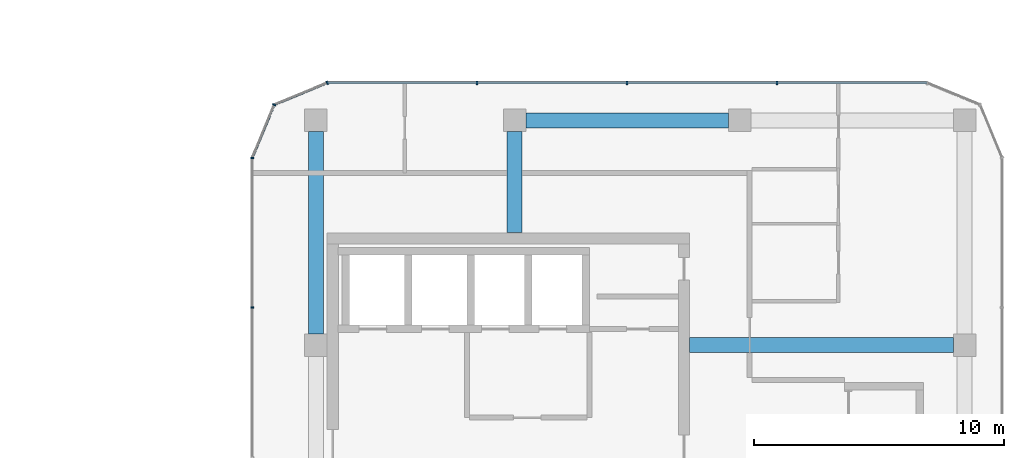
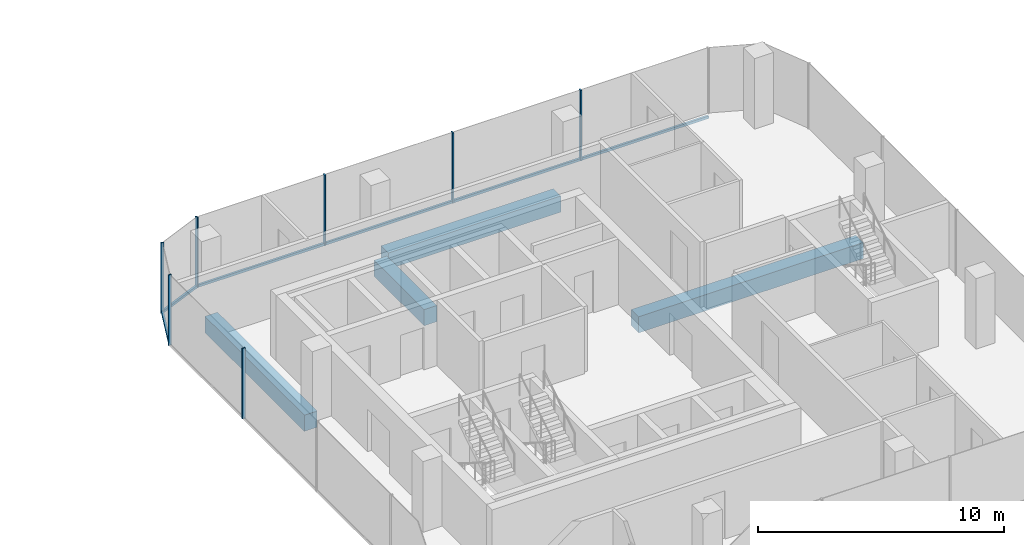
# One storey, part 9 of 27: 10 members, 4 beams, 4 elements without a shape of their own.
"""IFC4 building model written with IfcOpenShell, lengths in metres."""

from ifc_helpers import new_model, si_unit, direction, frame, origin, origin_2d, place, context, subcontext, project, spatial, rectangle, extrude, material, layer, layer_set, material_profile, profile_set, type_object, element, aggregate, save


model = new_model("IFC4")

# Units and contexts
model_context = context("Model", 3, precision=1e-05, world=origin(), true_north=direction((0.0, 1.0)))
body_context = subcontext(model_context, "Body", "Model", "MODEL_VIEW")
ifc_project = project(units=[si_unit("LENGTHUNIT", "METRE"), si_unit("AREAUNIT", "SQUARE_METRE"), si_unit("VOLUMEUNIT", "CUBIC_METRE"), si_unit("PLANEANGLEUNIT", "RADIAN"), si_unit("MASSUNIT", "GRAM", prefix="KILO")], contexts=[model_context])

# Site, building, storey
site_placement = place(None, origin())
site = spatial("IfcSite", under=ifc_project, at=site_placement, CompositionType="ELEMENT")
building_placement = place(site_placement, origin())
building = spatial("IfcBuilding", under=site, at=building_placement, Name="Plateau Cross Towers", CompositionType="ELEMENT")
storey_placement = place(building_placement, frame((0.0, 0.0, 78.300048828125)))
storey = spatial("IfcBuildingStorey", under=building, at=storey_placement, Name="L19", CompositionType="ELEMENT", Elevation=78.300048828125)

# Beams
ifc_material_1 = material(Name="Concrete C60/75", Category="concrete")
ifc_material_profile_1 = material_profile(ifc_material_1, rectangle(XDim=0.60009765625, YDim=0.800048828125, at=origin_2d()), Name="RC 600x800")
ifc_profile_set_1 = profile_set([ifc_material_profile_1], Name="Concrete C60/75")
beam_type_1 = type_object("IfcBeamType", Name="Core beam RC 600x800", PredefinedType="BEAM", material=ifc_profile_set_1)
beam_1_placement = place(storey_placement, frame((89.5, 13.5, -0.650146484375), z_axis=(1.0, 0.0, 0.0), x_axis=(0.0, 1.0, 0.0)))
element("IfcBeam", 1, at=beam_1_placement, inside=storey, type_object=beam_type_1, Name="B-CB03@L19", PredefinedType="BEAM", context=body_context, shape_type="SweptSolid", body=[
    extrude(rectangle(XDim=0.60009765625, YDim=0.800048828125, at=origin_2d()), origin(), (0.0, 0.0, 1.0), 10.550048828125),
])
beam_2_placement = place(storey_placement, frame((82.5, 18.0, -0.650146484375), z_axis=(0.0, 1.0, 0.0), x_axis=(-1.0, 0.0, 0.0)))
element("IfcBeam", 2, at=beam_2_placement, inside=storey, type_object=beam_type_1, Name="B-CB04@L19", PredefinedType="BEAM", context=body_context, shape_type="SweptSolid", body=[
    extrude(rectangle(XDim=0.60009765625, YDim=0.800048828125, at=origin_2d()), origin(), (0.0, 0.0, 1.0), 4.050048828125),
])

# Curtain wall, members
ifc_material_2 = material(Name="Dark low-iron glass", Category="glass")
ifc_layer = layer(ifc_material_2, 0.239990234375)
ifc_layer_set = layer_set([ifc_layer], Name="Dark low-iron glass")
curtain_wall_type = type_object("IfcCurtainWallType", Name="Curtain wall office unitised CW-F", PredefinedType="NOTDEFINED", material=ifc_layer_set)
curtain_wall_1_placement = place(storey_placement, origin())
curtain_wall_1 = element("IfcCurtainWall", 3, at=curtain_wall_1_placement, inside=storey, type_object=curtain_wall_type, Name="ENV/B/L19/B990_240", PredefinedType="NOTDEFINED")
ifc_material_3 = material(Name="Black anodised aluminium", Category="aluminium")
ifc_material_profile_2 = material_profile(ifc_material_3, rectangle(XDim=0.06005859375, YDim=0.139892578125, at=origin_2d()), Name="MULLION 60x140")
ifc_profile_set_2 = profile_set([ifc_material_profile_2], Name="Black anodised aluminium")
member_type_1 = type_object("IfcMemberType", Name="Mullion 60x140 office unitised", PredefinedType="MULLION", material=ifc_profile_set_2)
member_1_placement = place(storey_placement, frame((93.0, 24.0, -0.25), z_axis=(0.0, 0.0, 1.0), x_axis=(-1.0, 0.0, 0.0)))
member_1 = element("IfcMember", 4, at=member_1_placement, type_object=member_type_1, Name="CW-F mullion 2", PredefinedType="MULLION", context=body_context, shape_type="SweptSolid", body=[
    extrude(rectangle(XDim=0.06005859375, YDim=0.139892578125, at=origin_2d()), origin(), (0.0, 0.0, 1.0), 3.5),
])
member_2_placement = place(storey_placement, frame((87.0, 24.0, -0.25), z_axis=(0.0, 0.0, 1.0), x_axis=(-1.0, 0.0, 0.0)))
member_2 = element("IfcMember", 5, at=member_2_placement, type_object=member_type_1, Name="CW-F mullion 3", PredefinedType="MULLION", context=body_context, shape_type="SweptSolid", body=[
    extrude(rectangle(XDim=0.06005859375, YDim=0.139892578125, at=origin_2d()), origin(), (0.0, 0.0, 1.0), 3.5),
])
member_3_placement = place(storey_placement, frame((81.0, 24.0, -0.25), z_axis=(0.0, 0.0, 1.0), x_axis=(-1.0, 0.0, 0.0)))
member_3 = element("IfcMember", 6, at=member_3_placement, type_object=member_type_1, Name="CW-F mullion 4", PredefinedType="MULLION", context=body_context, shape_type="SweptSolid", body=[
    extrude(rectangle(XDim=0.06005859375, YDim=0.139892578125, at=origin_2d()), origin(), (0.0, 0.0, 1.0), 3.5),
])

# Curtain wall, member
curtain_wall_2_placement = place(storey_placement, origin())
curtain_wall_2 = element("IfcCurtainWall", 7, at=curtain_wall_2_placement, inside=storey, type_object=curtain_wall_type, Name="ENV/B/L19/B750_240", PredefinedType="NOTDEFINED")
member_4_placement = place(storey_placement, frame((75.0, 24.0, -0.25), z_axis=(0.0, 0.0, 1.0), x_axis=(-0.923879457699, -0.382683612978, 0.0)))
member_4 = element("IfcMember", 8, at=member_4_placement, type_object=member_type_1, Name="CW-F mullion 1", PredefinedType="MULLION", context=body_context, shape_type="SweptSolid", body=[
    extrude(rectangle(XDim=0.06005859375, YDim=0.139892578125, at=origin_2d()), origin(), (0.0, 0.0, 1.0), 3.5),
])

curtain_wall_3_placement = place(storey_placement, origin())
curtain_wall_3 = element("IfcCurtainWall", 9, at=curtain_wall_3_placement, inside=storey, type_object=curtain_wall_type, Name="ENV/B/L19/B729_231", PredefinedType="NOTDEFINED")
member_5_placement = place(storey_placement, frame((72.878662109375, 23.121337890625, -0.25), z_axis=(0.0, 0.0, 1.0), x_axis=(-0.382683612978, -0.923879457699, 0.0)))
member_5 = element("IfcMember", 10, at=member_5_placement, type_object=member_type_1, Name="CW-F mullion 1", PredefinedType="MULLION", context=body_context, shape_type="SweptSolid", body=[
    extrude(rectangle(XDim=0.06005859375, YDim=0.139892578125, at=origin_2d()), origin(), (0.0, 0.0, 1.0), 3.5),
])

# Curtain wall, members
curtain_wall_4_placement = place(storey_placement, origin())
curtain_wall_4 = element("IfcCurtainWall", 11, at=curtain_wall_4_placement, inside=storey, type_object=curtain_wall_type, Name="ENV/B/L19/B720_210", PredefinedType="NOTDEFINED")
member_6_placement = place(storey_placement, frame((72.0, 21.0, -0.25), z_axis=(0.0, 0.0, 1.0), x_axis=(0.0, -1.0, 0.0)))
member_6 = element("IfcMember", 12, at=member_6_placement, type_object=member_type_1, Name="CW-F mullion 1", PredefinedType="MULLION", context=body_context, shape_type="SweptSolid", body=[
    extrude(rectangle(XDim=0.06005859375, YDim=0.139892578125, at=origin_2d()), origin(), (0.0, 0.0, 1.0), 3.5),
])
member_7_placement = place(storey_placement, frame((72.0, 15.0, -0.25), z_axis=(0.0, 0.0, 1.0), x_axis=(0.0, -1.0, 0.0)))
member_7 = element("IfcMember", 13, at=member_7_placement, type_object=member_type_1, Name="CW-F mullion 2", PredefinedType="MULLION", context=body_context, shape_type="SweptSolid", body=[
    extrude(rectangle(XDim=0.06005859375, YDim=0.139892578125, at=origin_2d()), origin(), (0.0, 0.0, 1.0), 3.5),
])
aggregate(curtain_wall_4, [member_6, member_7])

# Beams
ifc_material_profile_3 = material_profile(ifc_material_1, rectangle(XDim=0.60009765625, YDim=0.800048828125, at=origin_2d()), Name="RC 600x800")
ifc_profile_set_3 = profile_set([ifc_material_profile_3], Name="Concrete C60/75")
beam_type_2 = type_object("IfcBeamType", Name="Ring beam RC 600x800", PredefinedType="BEAM", material=ifc_profile_set_3)
for number, where, z_axis, x_axis, name in (
    (14, (91.050048828125, 22.5, -0.650146484375), (-1.0, 0.0, 0.0), (0.0, -1.0, 0.0), "B-RB07@L19"),
    (15, (74.550048828125, 22.050048828125, -0.650146484375), (0.0, -1.0, 0.0), (1.0, 0.0, 0.0), "B-RB08@L19"),
):
    element("IfcBeam", number, at=place(storey_placement, frame(where, z_axis=z_axis, x_axis=x_axis)), inside=storey, type_object=beam_type_2, Name=name, PredefinedType="BEAM", context=body_context, shape_type="SweptSolid", body=[
        extrude(rectangle(XDim=0.60009765625, YDim=0.800048828125, at=origin_2d()), origin(), (0.0, 0.0, 1.0), 8.10009765625),
    ])

# Member
ifc_material_profile_4 = material_profile(ifc_material_3, rectangle(XDim=0.10009765625, YDim=0.1201171875, at=origin_2d()), Name="TRANSOM 100x120")
ifc_profile_set_4 = profile_set([ifc_material_profile_4], Name="Black anodised aluminium")
member_type_2 = type_object("IfcMemberType", Name="Transom 100x120 office unitised", PredefinedType="USERDEFINED", material=ifc_profile_set_4)
member_8_placement = place(storey_placement, frame((99.0, 24.0, -0.18994140625), z_axis=(-1.0, 0.0, 0.0), x_axis=(0.0, -1.0, 0.0)))
member_8 = element("IfcMember", 16, at=member_8_placement, type_object=member_type_2, Name="CW-F transom", ObjectType="TRANSOM", PredefinedType="USERDEFINED", context=body_context, shape_type="SweptSolid", body=[
    extrude(rectangle(XDim=0.10009765625, YDim=0.1201171875, at=origin_2d()), origin(), (0.0, 0.0, 1.0), 24.0),
])

aggregate(curtain_wall_1, [member_1, member_2, member_3, member_8])

member_9_placement = place(storey_placement, frame((75.0, 24.0, -0.18994140625), z_axis=(-0.923883353507, -0.382674207535, 0.0), x_axis=(0.382674207535, -0.923883353507, 0.0)))
member_9 = element("IfcMember", 17, at=member_9_placement, type_object=member_type_2, Name="CW-F transom", ObjectType="TRANSOM", PredefinedType="USERDEFINED", context=body_context, shape_type="SweptSolid", body=[
    extrude(rectangle(XDim=0.10009765625, YDim=0.1201171875, at=origin_2d()), origin(), (0.0, 0.0, 1.0), 2.296142578125),
])

aggregate(curtain_wall_2, [member_4, member_9])

member_10_placement = place(storey_placement, frame((72.878662109375, 23.121337890625, -0.18994140625), z_axis=(-0.382674207535, -0.923883353507, 0.0), x_axis=(0.923883353507, -0.382674207535, 0.0)))
member_10 = element("IfcMember", 18, at=member_10_placement, type_object=member_type_2, Name="CW-F transom", ObjectType="TRANSOM", PredefinedType="USERDEFINED", context=body_context, shape_type="SweptSolid", body=[
    extrude(rectangle(XDim=0.10009765625, YDim=0.1201171875, at=origin_2d()), origin(), (0.0, 0.0, 1.0), 2.296142578125),
])

aggregate(curtain_wall_3, [member_5, member_10])

save(model, "model.ifc")
